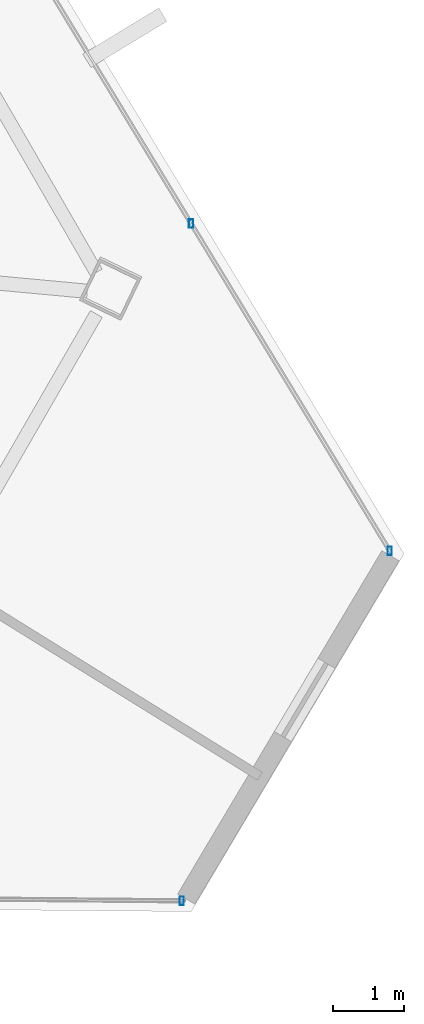
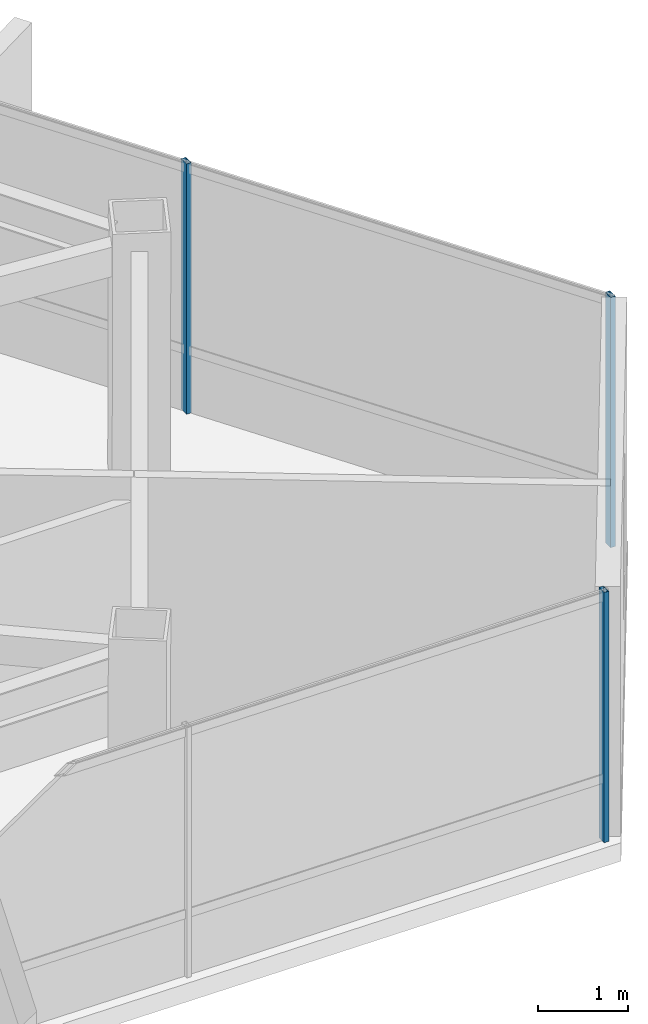
# One storey, part 26 of 47: 3 members, 2 elements without a shape of their own.
"""IFC4 building model written with IfcOpenShell, lengths in metres."""

from ifc_helpers import new_model, si_unit, direction, frame, origin, origin_2d, place, context, subcontext, project, spatial, hollow_rectangle, extrude, source, transform, mapped, material, material_profile, profile_set, type_object, type_shapes, element, aggregate, save


model = new_model("IFC4")

# Units and contexts
model_context = context("Model", 3, precision=1e-05, world=origin(), true_north=direction((0.0, 1.0)))
body_context = subcontext(model_context, "Body", "Model", "MODEL_VIEW")
ifc_project = project(units=[si_unit("LENGTHUNIT", "METRE"), si_unit("AREAUNIT", "SQUARE_METRE"), si_unit("VOLUMEUNIT", "CUBIC_METRE"), si_unit("PLANEANGLEUNIT", "RADIAN"), si_unit("MASSUNIT", "GRAM", prefix="KILO")], contexts=[model_context])

# Site, building, storey
site_placement = place(None, origin())
site = spatial("IfcSite", under=ifc_project, at=site_placement, CompositionType="ELEMENT")
building_placement = place(site_placement, origin())
building = spatial("IfcBuilding", under=site, at=building_placement, Name="Caelisora Broadcast Tower", CompositionType="ELEMENT")
storey_placement = place(building_placement, frame((0.0, 0.0, 248.10009765625)))
storey = spatial("IfcBuildingStorey", under=building, at=storey_placement, Name="L65", CompositionType="ELEMENT", Elevation=248.10009765625)

# Curtain wall, members
ifc_material_1 = material(Name="Unitised Aluminium and Low-E Glass Curtain Wall", Category="glass")
curtain_wall_type = type_object("IfcCurtainWallType", Name="CW-Z5", PredefinedType="NOTDEFINED", material=ifc_material_1)
curtain_wall_1_placement = place(storey_placement, origin())
curtain_wall_1 = element("IfcCurtainWall", 1, at=curtain_wall_1_placement, inside=storey, type_object=curtain_wall_type, Name="L65 curtain wall CW-Z5", PredefinedType="NOTDEFINED")
ifc_material_2 = material(Name="Aluminium 6063-T6 Anodised Terracotta Bronze", Category="aluminium")
ifc_material_profile = material_profile(ifc_material_2, hollow_rectangle(XDim=0.06005859375, YDim=0.1201171875, WallThickness=0.0029296875, at=origin_2d()), Name="Aluminium 6063-T6 Anodised Terracotta Bronze")
ifc_profile_set = profile_set([ifc_material_profile], Name="Aluminium 6063-T6 Anodised Terracotta Bronze")
member_type = type_object("IfcMemberType", Name="CWM-04", PredefinedType="MULLION", material=ifc_profile_set)
shared_shape = source(origin(), body_context, "Body", "SweptSolid", [
    extrude(hollow_rectangle(XDim=0.06005859375, YDim=0.1201171875, WallThickness=0.0029296875, at=origin_2d()), origin(), (0.0, 0.0, 1.0), 3.39990234375),
])
type_shapes(member_type, [shared_shape])
member_1_placement = place(storey_placement, frame((60.77294921875, 17.072265625, 0.0), z_axis=(0.0, 0.0, 1.0), x_axis=(1.0, 0.0, 0.0)))
member_1 = element("IfcMember", 2, at=member_1_placement, type_object=member_type, Name="L65-CW-B03 mullion #2", PredefinedType="MULLION", context=body_context, shape_type="MappedRepresentation", body=[
    mapped(shared_shape, transform((0.0, 0.0, 0.0), scale=1.0)),
])
member_2_placement = place(storey_placement, frame((63.566162109375, 12.4697265625, 0.0), z_axis=(0.0, 0.0, 1.0), x_axis=(1.0, 0.0, 0.0)))
member_2 = element("IfcMember", 3, at=member_2_placement, type_object=member_type, Name="L65-CW-B03 mullion #3", PredefinedType="MULLION", context=body_context, shape_type="MappedRepresentation", body=[
    mapped(shared_shape, transform((0.0, 0.0, 0.0), scale=1.0)),
])
aggregate(curtain_wall_1, [member_1, member_2])

# Curtain wall, member
curtain_wall_2_placement = place(storey_placement, origin())
curtain_wall_2 = element("IfcCurtainWall", 4, at=curtain_wall_2_placement, inside=storey, type_object=curtain_wall_type, Name="L65 curtain wall CW-Z5", PredefinedType="NOTDEFINED")
member_3_placement = place(storey_placement, frame((60.639892578125, 7.547607421875, 0.0), z_axis=(0.0, 0.0, 1.0), x_axis=(1.0, 0.0, 0.0)))
member_3 = element("IfcMember", 5, at=member_3_placement, type_object=member_type, Name="L65-CW-B05 mullion #0", PredefinedType="MULLION", context=body_context, shape_type="MappedRepresentation", body=[
    mapped(shared_shape, transform((0.0, 0.0, 0.0), scale=1.0)),
])
aggregate(curtain_wall_2, [member_3])

save(model, "model.ifc")
